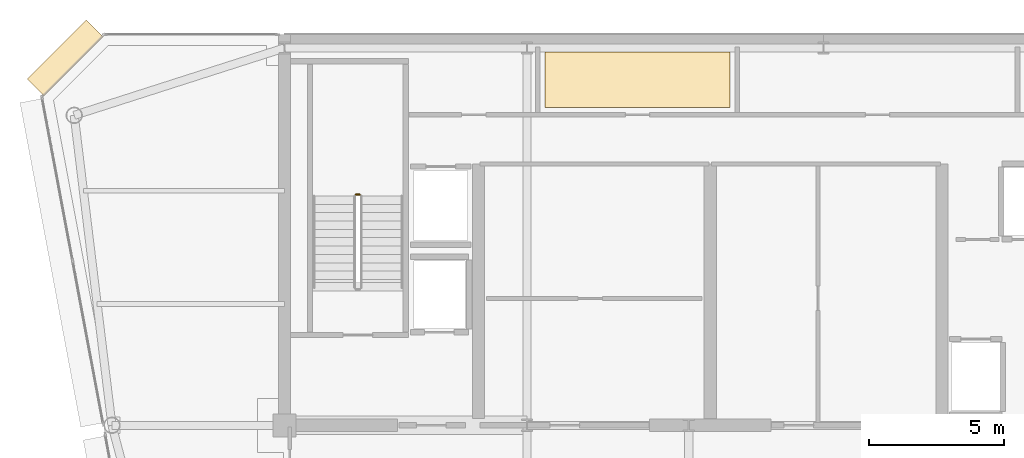
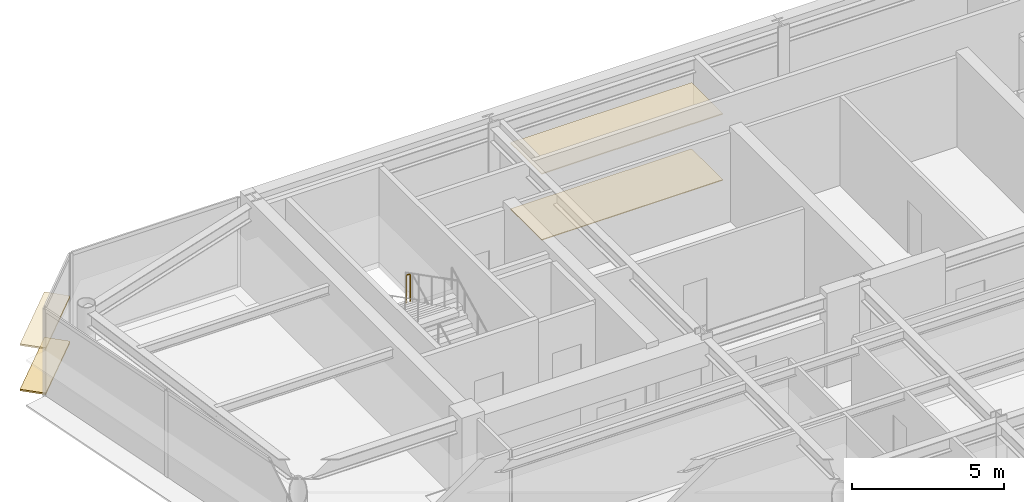
# One storey, part 18 of 20: 4 coverings, 1 railing.
"""IFC4 building model written with IfcOpenShell, lengths in metres."""

from ifc_helpers import new_model, si_unit, direction, frame, origin, origin_2d, place, context, subcontext, project, spatial, polyline, rectangle, circle, outline, extrude, source, transform, mapped, material, layer, layer_set, type_object, element, save


model = new_model("IFC4")

# Units and contexts
model_context = context("Model", 3, precision=1e-05, world=origin(), true_north=direction((0.0, 1.0)))
body_context = subcontext(model_context, "Body", "Model", "MODEL_VIEW")
ifc_project = project(units=[si_unit("LENGTHUNIT", "METRE"), si_unit("AREAUNIT", "SQUARE_METRE"), si_unit("VOLUMEUNIT", "CUBIC_METRE"), si_unit("PLANEANGLEUNIT", "RADIAN"), si_unit("MASSUNIT", "GRAM", prefix="KILO")], contexts=[model_context])

# Site, building, storey
site_placement = place(None, origin())
site = spatial("IfcSite", under=ifc_project, at=site_placement, CompositionType="ELEMENT")
building_placement = place(site_placement, origin())
building = spatial("IfcBuilding", under=site, at=building_placement, Name="Vaeldorn Concourse Tower", CompositionType="ELEMENT")
storey_placement = place(building_placement, frame((0.0, 0.0, 268.800048828125)))
storey = spatial("IfcBuildingStorey", under=building, at=storey_placement, Name="L69", CompositionType="ELEMENT", Elevation=268.800048828125)

# Coverings
ifc_material_1 = material(Name="Acoustic Mineral Fibre Board", Category="gypsum")
ifc_layer_1 = layer(ifc_material_1, 0.0400390625)
ifc_layer_set_1 = layer_set([ifc_layer_1], Name="Acoustic Mineral Fibre Board")
covering_type_1 = type_object("IfcCoveringType", Name="COV-CEIL-ACOUSTIC", PredefinedType="CEILING", material=ifc_layer_set_1)
covering_1_placement = place(storey_placement, frame((0.0, 0.0, 2.64990234375)))
element("IfcCovering", 1, at=covering_1_placement, inside=storey, type_object=covering_type_1, Name="Suspended Acoustic Ceiling L69-2", PredefinedType="CEILING", context=body_context, shape_type="SweptSolid", body=[
    extrude(outline(polyline([(30.5400390625, 50.35009765625), (30.5400390625, 48.300048828125), (23.659912109375, 48.300048828125), (23.659912109375, 50.35009765625), (30.5400390625, 50.35009765625)])), origin(), (0.0, 0.0, 1.0), 0.0400390625),
])
ifc_material_2 = material(Name="Honed Limestone Terrazzo Flooring", Category="masonry")
ifc_layer_2 = layer(ifc_material_2, 0.0400390625)
ifc_layer_set_2 = layer_set([ifc_layer_2], Name="Honed Limestone Terrazzo Flooring")
covering_type_2 = type_object("IfcCoveringType", Name="COV-FLOOR-STONE", PredefinedType="FLOORING", material=ifc_layer_set_2)
covering_2_placement = place(storey_placement, origin())
element("IfcCovering", 2, at=covering_2_placement, inside=storey, type_object=covering_type_2, Name="Floor Finish Covering L69-2", PredefinedType="FLOORING", context=body_context, shape_type="SweptSolid", body=[
    extrude(outline(polyline([(30.5400390625, 50.35009765625), (30.5400390625, 48.300048828125), (23.659912109375, 48.300048828125), (23.659912109375, 50.35009765625), (30.5400390625, 50.35009765625)])), origin(), (0.0, 0.0, 1.0), 0.030029296875),
])

# Railing
ifc_material_3 = material(Name="Anodised Bronze Aluminium", Category="aluminium")
railing_type = type_object("IfcRailingType", Name="RL-STAIR-GUARD", PredefinedType="GUARDRAIL", material=ifc_material_3)
railing_placement = place(storey_placement, frame((16.800048828125, 45.06005859375, 1.89990234375)))
element("IfcRailing", 3, at=railing_placement, inside=storey, type_object=railing_type, Name="L69 ST-1 stair guard 2", PredefinedType="GUARDRAIL", context=body_context, shape_type="SweptSolid", body=[
    extrude(circle(Radius=0.02392578125, at=origin_2d()), frame((0.0, 0.0, 1.1259765625), z_axis=(-1.0, 0.0, 0.0), x_axis=(0.0, -1.0, 0.0)), (0.0, 0.0, 1.0), 0.150146484375),
    extrude(circle(Radius=0.02099609375, at=origin_2d()), origin(), (0.0, 0.0, 1.0), 1.101806640625),
    extrude(circle(Radius=0.02099609375, at=origin_2d()), frame((-0.150146484375, 0.0, 0.0)), (0.0, 0.0, 1.0), 1.101806640625),
])

# Coverings
ifc_layer_3 = layer(ifc_material_3, 0.06494140625)
ifc_layer_set_3 = layer_set([ifc_layer_3], Name="Anodised Bronze Aluminium")
covering_type_3 = type_object("IfcCoveringType", Name="SD-BRONZE-SUNSHADE", PredefinedType="USERDEFINED", material=ifc_layer_set_3)
shared_shape = source(origin(), body_context, "Body", "SweptSolid", [
    extrude(rectangle(XDim=3.0927734375, YDim=0.8798828125, at=origin_2d()), origin(), (0.0, 0.0, 1.0), 0.06494140625),
])
for number, where, z_axis, x_axis, name in (
    (4, (5.8671875, 50.1328125, 0.04736328125), (0.0, 0.0, 1.0), (-0.707106781187, -0.707106781187, 0.0), "Horizontal Bronze Sunshade L69-E10.1.1"),
    (5, (5.8671875, 50.1328125, 1.867431640625), (0.0, 0.0, 1.0), (-0.707106781187, -0.707106781187, 0.0), "Horizontal Bronze Sunshade L69-E10.1.2"),
):
    element("IfcCovering", number, at=place(storey_placement, frame(where, z_axis=z_axis, x_axis=x_axis)), inside=storey, type_object=covering_type_3, Name=name, ObjectType="SUNSHADE", PredefinedType="USERDEFINED", context=body_context, shape_type="MappedRepresentation", body=[
        mapped(shared_shape, transform((0.0, 0.0, 0.0), scale=1.0)),
    ])

save(model, "model.ifc")
